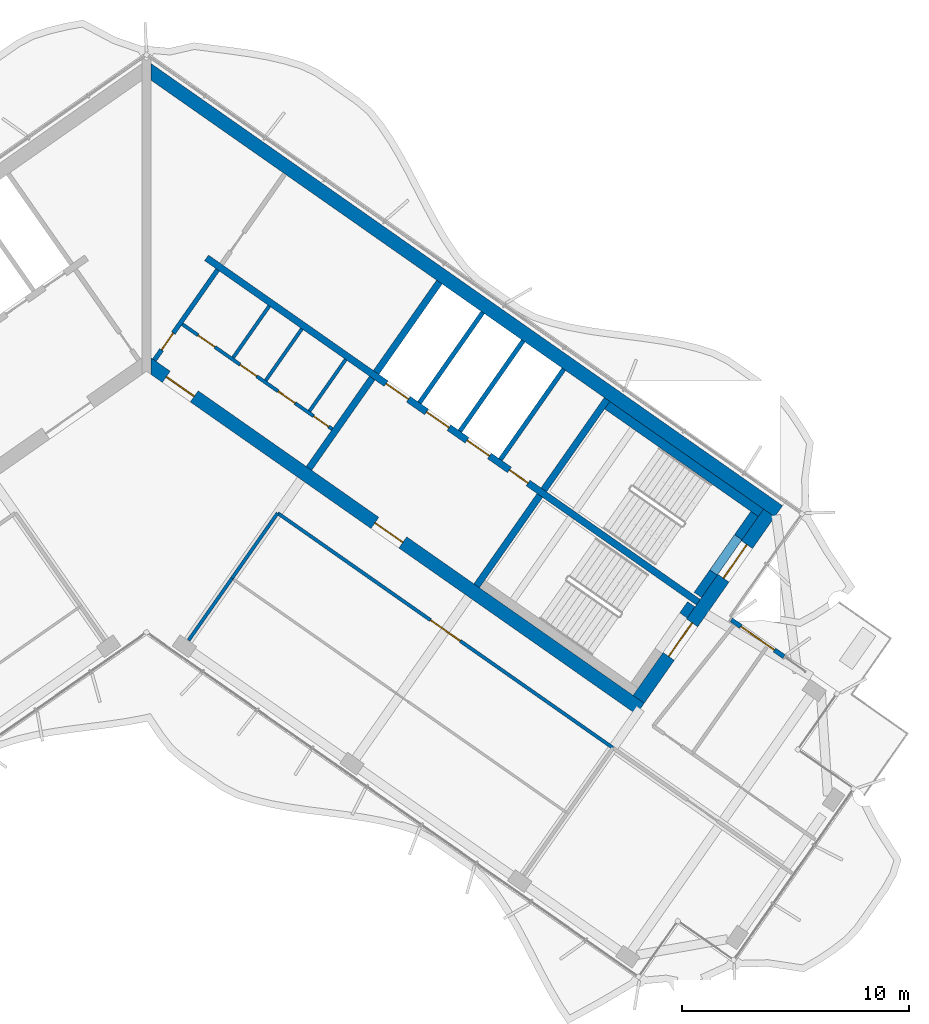
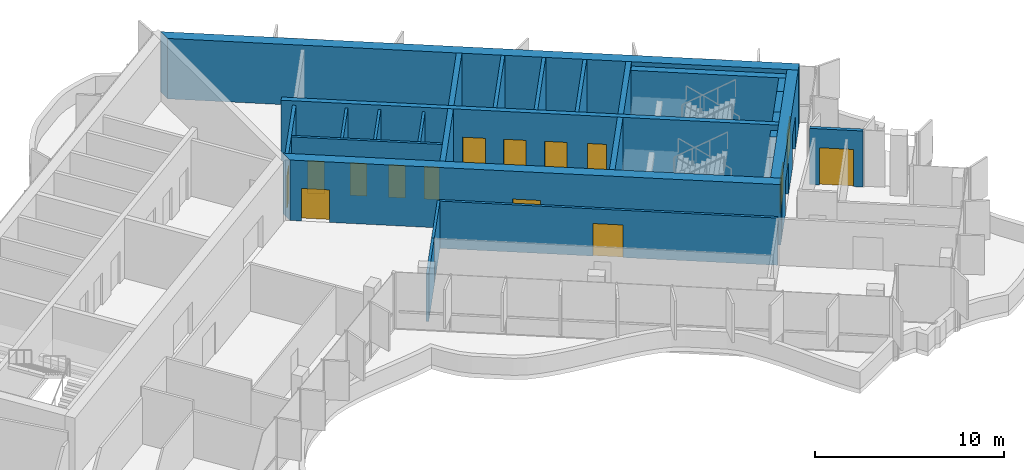
# One storey, part 12 of 20: 25 walls, 15 doors, 15 openings.
"""IFC4 building model written with IfcOpenShell, lengths in metres."""

import ifcopenshell
import ifcopenshell.guid

model = None  # the IFC model being written
_history = None  # IfcOwnerHistory: only IFC2X3 demands one
_inside = {}  # id of a spatial element -> (the spatial element, [elements in it])
_under = {}  # id of a project, library or spatial element -> (it, [spatial elements below it])
_declared = {}  # id of a project -> (the project, [libraries it declares])
_typed = {}  # id of a type object -> (the type object, [elements of that type])
_made_of = {}  # id of a material, layer set ... -> (it, [elements and type objects made of it])


def new_model(schema):
    """Start an empty IFC model of exactly this schema.

    Asked for "IFC4X3", IfcOpenShell would pick the latest addendum, in which some entities
    have other attributes; the version numbers below select the first issue.
    IFC2X3 requires an IfcOwnerHistory on every rooted entity: one is made here for all.
    """
    global model, _history
    if schema == "IFC4X3":
        model = ifcopenshell.file(schema_version=(4, 3, 0, 0))
    else:
        model = ifcopenshell.file(schema=schema)
    _inside.clear()
    _under.clear()
    _declared.clear()
    _typed.clear()
    _made_of.clear()
    _history = None
    if model.schema == "IFC2X3":
        org = make("IfcOrganization", Name="unknown")
        user = make(
            "IfcPersonAndOrganization",
            ThePerson=make("IfcPerson", FamilyName="unknown"),
            TheOrganization=org,
        )
        app = make(
            "IfcApplication",
            ApplicationDeveloper=org,
            Version="unknown",
            ApplicationFullName="unknown",
            ApplicationIdentifier="unknown",
        )
        _history = make(
            "IfcOwnerHistory",
            OwningUser=user,
            OwningApplication=app,
            ChangeAction="ADDED",
            CreationDate=0,
        )
    return model


def make(cls, **values):
    """One entity of the class cls with the attributes given. An attribute that is None is left unset."""
    return model.create_entity(
        cls, **{name: value for name, value in values.items() if value is not None}
    )


def rooted(cls, **values):
    """An entity with a GlobalId (a new one), such as an element, a storey or a relation."""
    return make(cls, GlobalId=ifcopenshell.guid.new(), OwnerHistory=_history, **values)


def si_unit(unit_type, name, prefix=None):
    """IfcSIUnit, for example si_unit("LENGTHUNIT", "METRE", prefix="MILLI")."""
    return make("IfcSIUnit", UnitType=unit_type, Prefix=prefix, Name=name)


def assignment(units):
    """IfcUnitAssignment: the units of a project."""
    return None if units is None else make("IfcUnitAssignment", Units=units)


def point(xyz):
    """IfcCartesianPoint."""
    return None if xyz is None else make("IfcCartesianPoint", Coordinates=xyz)


def direction(xyz):
    """IfcDirection."""
    return None if xyz is None else make("IfcDirection", DirectionRatios=xyz)


def frame(location, z_axis=None, x_axis=None):
    """IfcAxis2Placement3D, a coordinate frame: its origin and axes. An axis left out is left unset."""
    return make(
        "IfcAxis2Placement3D",
        Location=point(location),
        Axis=direction(z_axis),
        RefDirection=direction(x_axis),
    )


def frame_2d(location, x_axis=None):
    """IfcAxis2Placement2D, a coordinate frame in the plane: its origin and x axis."""
    return make(
        "IfcAxis2Placement2D", Location=point(location), RefDirection=direction(x_axis)
    )


def origin():
    """The frame at (0, 0, 0) with its axes left unset."""
    return frame((0.0, 0.0, 0.0))


def place(relative_to, where):
    """IfcLocalPlacement: puts the frame where relative to a parent placement (None: the world)."""
    return make(
        "IfcLocalPlacement", PlacementRelTo=relative_to, RelativePlacement=where
    )


def context(
    kind, dimensions, precision=None, world=None, true_north=None, identifier=None
):
    """IfcGeometricRepresentationContext, for example the 3D "Model" context."""
    return make(
        "IfcGeometricRepresentationContext",
        ContextIdentifier=identifier,
        ContextType=kind,
        CoordinateSpaceDimension=dimensions,
        Precision=precision,
        WorldCoordinateSystem=world,
        TrueNorth=true_north,
    )


def subcontext(parent, identifier, kind, view, scale=None):
    """IfcGeometricRepresentationSubContext, for example "Body" below "Model"."""
    return make(
        "IfcGeometricRepresentationSubContext",
        ContextIdentifier=identifier,
        ContextType=kind,
        ParentContext=parent,
        TargetScale=scale,
        TargetView=view,
    )


def project(units=None, contexts=None):
    """IfcProject with its units and contexts."""
    return rooted(
        "IfcProject",
        Name="project",
        RepresentationContexts=contexts,
        UnitsInContext=assignment(units),
    )


def spatial(cls, under=None, at=None, **own):
    """A site, building, storey or space (cls), placed at a placement, below another one or the project."""
    s = rooted(cls, ObjectPlacement=at, **own)
    if under is not None:
        _under.setdefault(under.id(), (under, []))[1].append(s)
    return s


def polyline(points):
    """IfcPolyline through the points."""
    return make("IfcPolyline", Points=[point(p) for p in points])


def profile(cls, at=None, kind="AREA", **sizes):
    """A parametric profile (cls). Its sizes go by their IFC names, for example OverallWidth=200.0."""
    return make(cls, ProfileType=kind, Position=at, **sizes)


def rectangle(**sizes):
    """IfcRectangleProfileDef."""
    return profile("IfcRectangleProfileDef", **sizes)


def outline(outer, holes=None, kind="AREA"):
    """IfcArbitraryClosedProfileDef: a profile drawn as a closed curve; with holes, ...WithVoids."""
    if holes is None:
        return make("IfcArbitraryClosedProfileDef", ProfileType=kind, OuterCurve=outer)
    return make(
        "IfcArbitraryProfileDefWithVoids",
        ProfileType=kind,
        OuterCurve=outer,
        InnerCurves=holes,
    )


def extrude(swept, where, along, depth):
    """IfcExtrudedAreaSolid: the profile swept, set in the frame where, extruded along a direction by depth."""
    return make(
        "IfcExtrudedAreaSolid",
        SweptArea=swept,
        Position=where,
        ExtrudedDirection=direction(along),
        Depth=depth,
    )


def shape(context_of_items, identifier, shape_type, items):
    """IfcShapeRepresentation: the items that make up one representation, for example the "Body"."""
    return make(
        "IfcShapeRepresentation",
        ContextOfItems=context_of_items,
        RepresentationIdentifier=identifier,
        RepresentationType=shape_type,
        Items=items,
    )


def material(Name=None, Category=None):
    """IfcMaterial."""
    return make("IfcMaterial", Name=Name, Category=Category)


def layer(
    of_material, thickness, ventilated=None, Name=None, Category=None, Priority=None
):
    """IfcMaterialLayer: one layer of a wall or slab, of a material (None: an air gap)."""
    return make(
        "IfcMaterialLayer",
        Material=of_material,
        LayerThickness=thickness,
        IsVentilated=ventilated,
        Name=Name,
        Category=Category,
        Priority=Priority,
    )


def layer_set(layers, Name=None):
    """IfcMaterialLayerSet."""
    return make("IfcMaterialLayerSet", MaterialLayers=layers, LayerSetName=Name)


def made_of(thing, what):
    """Note that an element or type object is made of a material, layer set ...; save() writes the relation."""
    if what is not None:
        _made_of.setdefault(what.id(), (what, []))[1].append(thing)
    return thing


def type_object(cls, material=None, **own):
    """A type object (cls), such as IfcWallType, which elements share."""
    return made_of(rooted(cls, **own), material)


def element(
    cls,
    number,
    at=None,
    inside=None,
    cuts=None,
    type_object=None,
    material=None,
    context=None,
    identifier="Body",
    shape_type=None,
    held_by="IfcProductDefinitionShape",
    body=None,
    shapes=None,
    **own,
):
    """One element of the class cls, such as IfcWall. Its Tag is "e" and its number.

    at: its placement. inside: the storey or other place that contains it. cuts: it is an
    opening in that element (IfcRelVoidsElement). A single representation is given by context,
    identifier, shape_type and body (its items); several are given by shapes. held_by: the class
    of the entity that holds the representations. save() writes the other relations.
    """
    e = rooted(cls, Tag="e%d" % number, ObjectPlacement=at, **own)
    if body is not None:
        shapes = [shape(context, identifier, shape_type, body)]
    if shapes is not None:
        e.Representation = make(held_by, Representations=shapes)
    if inside is not None:
        _inside.setdefault(inside.id(), (inside, []))[1].append(e)
    if cuts is not None:
        rooted(
            "IfcRelVoidsElement", RelatingBuildingElement=cuts, RelatedOpeningElement=e
        )
    if type_object is not None:
        _typed.setdefault(type_object.id(), (type_object, []))[1].append(e)
    return made_of(e, material)


def fill(opening, filler):
    """IfcRelFillsElement: the door or window that sits in an opening."""
    return rooted(
        "IfcRelFillsElement",
        RelatingOpeningElement=opening,
        RelatedBuildingElement=filler,
    )


def aggregate(whole, parts):
    """IfcRelAggregates: a whole, such as a stair, and the parts it consists of."""
    return rooted("IfcRelAggregates", RelatingObject=whole, RelatedObjects=parts)


def save(model, path):
    """Write the relations noted so far, then the file.

    IfcRelAggregates (storeys below a building ...), IfcRelContainedInSpatialStructure (elements
    in a storey), IfcRelDefinesByType, IfcRelAssociatesMaterial and IfcRelDeclares: one each for
    every whole, place, type object, material and project.
    """
    for whole, parts in _under.values():
        aggregate(whole, parts)
    for where, things in _inside.values():
        rooted(
            "IfcRelContainedInSpatialStructure",
            RelatedElements=things,
            RelatingStructure=where,
        )
    for kind, things in _typed.values():
        rooted("IfcRelDefinesByType", RelatedObjects=things, RelatingType=kind)
    for what, things in _made_of.values():
        rooted("IfcRelAssociatesMaterial", RelatedObjects=things, RelatingMaterial=what)
    for by, libraries in _declared.values():
        rooted("IfcRelDeclares", RelatingContext=by, RelatedDefinitions=libraries)
    model.write(path)


model = new_model("IFC4")

# Units and contexts
model_context = context("Model", 3, precision=1e-05, world=origin(), true_north=direction((0.0, 1.0)))
body_context = subcontext(model_context, "Body", "Model", "MODEL_VIEW")
ifc_project = project(units=[si_unit("LENGTHUNIT", "METRE"), si_unit("AREAUNIT", "SQUARE_METRE"), si_unit("VOLUMEUNIT", "CUBIC_METRE"), si_unit("PLANEANGLEUNIT", "RADIAN"), si_unit("MASSUNIT", "GRAM", prefix="KILO")], contexts=[model_context])

# Site, building, storey
site_placement = place(None, origin())
site = spatial("IfcSite", under=ifc_project, at=site_placement, CompositionType="ELEMENT")
building_placement = place(site_placement, origin())
building = spatial("IfcBuilding", under=site, at=building_placement, Name="Tel Ilan Convention Tower", CompositionType="ELEMENT")
storey_placement = place(building_placement, frame((0.0, 0.0, 248.800048828125)))
storey = spatial("IfcBuildingStorey", under=building, at=storey_placement, Name="L58", CompositionType="ELEMENT", Elevation=248.800048828125)

# Wall, openings, doors
ifc_material_1 = material(Name="Gypsum Plasterboard on Steel Stud", Category="steel")
ifc_layer_1 = layer(ifc_material_1, 0.14990234375)
ifc_layer_set_1 = layer_set([ifc_layer_1], Name="Core Room Partition Wall 150 mm EI 60")
wall_type_1 = type_object("IfcWallType", Name="Core Room Partition Wall 150 mm EI 60", PredefinedType="PARTITIONING", material=ifc_layer_set_1)
wall_1_placement = place(storey_placement, frame((1.572998046875, 0.851806640625, 0.0), z_axis=(0.0, 0.0, 1.0), x_axis=(0.819160673808, -0.573564111924, 0.0)))
wall_1 = element("IfcWall", 1, at=wall_1_placement, inside=storey, type_object=wall_type_1, Name="L58 core wall wc-h1", PredefinedType="PARTITIONING", context=body_context, shape_type="SweptSolid", body=[
    extrude(rectangle(XDim=8.050048828125, YDim=0.14990234375, at=frame_2d((4.02490234375, 0.0))), origin(), (0.0, 0.0, 1.0), 3.619873046875),
])
opening_1_placement = place(wall_1_placement, frame((0.85009765625, 0.0, 0.0)))
opening_1 = element("IfcOpeningElement", 2, at=opening_1_placement, cuts=wall_1, Name="Opening CD4514", PredefinedType="OPENING", context=body_context, shape_type="SweptSolid", body=[
    extrude(rectangle(XDim=0.89990234375, YDim=2.10009765625, at=frame_2d((0.449951171875, 1.050048828125))), frame((0.0, 0.0849609375, 0.0), z_axis=(0.0, -1.0, 0.0), x_axis=(1.0, 0.0, 0.0)), (0.0, 0.0, 1.0), 0.169921875),
])
opening_2_placement = place(wall_1_placement, frame((3.10009765625, 0.0, 0.0)))
opening_2 = element("IfcOpeningElement", 3, at=opening_2_placement, cuts=wall_1, Name="Opening CD4511", PredefinedType="OPENING", context=body_context, shape_type="SweptSolid", body=[
    extrude(rectangle(XDim=0.89990234375, YDim=2.10009765625, at=frame_2d((0.449951171875, 1.050048828125))), frame((0.0, 0.0849609375, 0.0), z_axis=(0.0, -1.0, 0.0), x_axis=(1.0, 0.0, 0.0)), (0.0, 0.0, 1.0), 0.169921875),
])
opening_3_placement = place(wall_1_placement, frame((5.14990234375, 0.0, 0.0)))
opening_3 = element("IfcOpeningElement", 4, at=opening_3_placement, cuts=wall_1, Name="Opening CD4513", PredefinedType="OPENING", context=body_context, shape_type="SweptSolid", body=[
    extrude(rectangle(XDim=0.89990234375, YDim=2.10009765625, at=frame_2d((0.449951171875, 1.050048828125))), frame((0.0, 0.0849609375, 0.0), z_axis=(0.0, -1.0, 0.0), x_axis=(1.0, 0.0, 0.0)), (0.0, 0.0, 1.0), 0.169921875),
])
opening_4_placement = place(wall_1_placement, frame((7.050048828125, 0.0, 0.0)))
opening_4 = element("IfcOpeningElement", 5, at=opening_4_placement, cuts=wall_1, Name="Opening CD4512", PredefinedType="OPENING", context=body_context, shape_type="SweptSolid", body=[
    extrude(rectangle(XDim=0.800048828125, YDim=2.10009765625, at=frame_2d((0.39990234375, 1.050048828125))), frame((0.0, 0.0849609375, 0.0), z_axis=(0.0, -1.0, 0.0), x_axis=(1.0, 0.0, 0.0)), (0.0, 0.0, 1.0), 0.169921875),
])
ifc_material_2 = material(Name="Galvanised Steel Door Leaf", Category="steel")
door_type_1 = type_object("IfcDoorType", Name="Store Door 800 x 2100 FD60", OperationType="NOTDEFINED", PredefinedType="DOOR", material=ifc_material_2)
door_1_placement = place(opening_4_placement, origin())
door_1 = element("IfcDoor", 6, at=door_1_placement, inside=storey, type_object=door_type_1, Name="Cleaner's store door", OperationType="SINGLE_SWING_RIGHT", OverallHeight=2.10009765625, OverallWidth=0.800048828125, PredefinedType="DOOR", context=body_context, shape_type="SweptSolid", body=[
    extrude(rectangle(XDim=0.800048828125, YDim=2.10009765625, at=frame_2d((0.39990234375, 1.050048828125))), frame((0.0, 0.02490234375, 0.0), z_axis=(0.0, -1.0, 0.0), x_axis=(1.0, 0.0, 0.0)), (0.0, 0.0, 1.0), 0.050048828125),
])
fill(opening_4, door_1)
ifc_material_3 = material(Name="Laminated Timber Door Leaf", Category="wood")
door_type_2 = type_object("IfcDoorType", Name="Toilet Door 900 x 2100 FD30S", OperationType="NOTDEFINED", PredefinedType="DOOR", material=ifc_material_3)
door_2_placement = place(opening_1_placement, origin())
door_2 = element("IfcDoor", 7, at=door_2_placement, inside=storey, type_object=door_type_2, Name="Women's WC door", OperationType="SINGLE_SWING_RIGHT", OverallHeight=2.10009765625, OverallWidth=0.89990234375, PredefinedType="DOOR", context=body_context, shape_type="SweptSolid", body=[
    extrude(rectangle(XDim=0.89990234375, YDim=2.10009765625, at=frame_2d((0.449951171875, 1.050048828125))), frame((0.0, 0.02490234375, 0.0), z_axis=(0.0, -1.0, 0.0), x_axis=(1.0, 0.0, 0.0)), (0.0, 0.0, 1.0), 0.050048828125),
])
fill(opening_1, door_2)
door_3_placement = place(opening_2_placement, origin())
door_3 = element("IfcDoor", 8, at=door_3_placement, inside=storey, type_object=door_type_2, Name="Accessible WC door", OperationType="SINGLE_SWING_RIGHT", OverallHeight=2.10009765625, OverallWidth=0.89990234375, PredefinedType="DOOR", context=body_context, shape_type="SweptSolid", body=[
    extrude(rectangle(XDim=0.89990234375, YDim=2.10009765625, at=frame_2d((0.449951171875, 1.050048828125))), frame((0.0, 0.02490234375, 0.0), z_axis=(0.0, -1.0, 0.0), x_axis=(1.0, 0.0, 0.0)), (0.0, 0.0, 1.0), 0.050048828125),
])
fill(opening_2, door_3)
door_4_placement = place(opening_3_placement, origin())
door_4 = element("IfcDoor", 9, at=door_4_placement, inside=storey, type_object=door_type_2, Name="Men's WC door", OperationType="SINGLE_SWING_RIGHT", OverallHeight=2.10009765625, OverallWidth=0.89990234375, PredefinedType="DOOR", context=body_context, shape_type="SweptSolid", body=[
    extrude(rectangle(XDim=0.89990234375, YDim=2.10009765625, at=frame_2d((0.449951171875, 1.050048828125))), frame((0.0, 0.02490234375, 0.0), z_axis=(0.0, -1.0, 0.0), x_axis=(1.0, 0.0, 0.0)), (0.0, 0.0, 1.0), 0.050048828125),
])
fill(opening_3, door_4)

# Walls
wall_2_placement = place(storey_placement, frame((3.807373046875, -0.62109375, 0.0), z_axis=(0.0, 0.0, 1.0), x_axis=(0.573539102583, 0.819178184407, 0.0)))
element("IfcWall", 10, at=wall_2_placement, inside=storey, type_object=wall_type_1, Name="L58 core wall wc-v0", PredefinedType="PARTITIONING", context=body_context, shape_type="SweptSolid", body=[
    extrude(rectangle(XDim=2.77490234375, YDim=0.14990234375, at=frame_2d((1.387451171875, 0.0))), origin(), (0.0, 0.0, 1.0), 3.619873046875),
])
for number, where, z_axis, x_axis, name in (
    (11, (5.24072265625, -1.625, 0.0), (0.0, 0.0, 1.0), (0.573598137089, 0.81913684884, 0.0), "L58 core wall wc-v1"),
    (12, (7.165771484375, -2.972900390625, 0.0), (0.0, 0.0, 1.0), (0.573598137089, 0.81913684884, 0.0), "L58 core wall wc-v2"),
):
    element("IfcWall", number, at=place(storey_placement, frame(where, z_axis=z_axis, x_axis=x_axis)), inside=storey, type_object=wall_type_1, Name=name, PredefinedType="PARTITIONING", context=body_context, shape_type="SweptSolid", body=[
        extrude(rectangle(XDim=2.775146484375, YDim=0.14990234375, at=frame_2d((1.3876953125, 0.0))), origin(), (0.0, 0.0, 1.0), 3.619873046875),
    ])

# Wall, opening, door
ifc_material_4 = material(Name="Concrete C30/37", Category="concrete")
ifc_layer_2 = layer(ifc_material_4, 0.199951171875)
ifc_layer_set_2 = layer_set([ifc_layer_2], Name="Core Service Room Wall 200 mm C30/37")
wall_type_2 = type_object("IfcWallType", Name="Core Service Room Wall 200 mm C30/37", PredefinedType="SOLIDWALL", material=ifc_layer_set_2)
wall_3_placement = place(storey_placement, frame((0.343994140625, -0.729248046875, 0.0), z_axis=(0.0, 0.0, 1.0), x_axis=(0.573560315113, 0.819163332265, 0.0)))
wall_3 = element("IfcWall", 13, at=wall_3_placement, inside=storey, type_object=wall_type_2, Name="L58 core wall apex-E", PredefinedType="SOLIDWALL", context=body_context, shape_type="SweptSolid", body=[
    extrude(rectangle(XDim=4.849853515625, YDim=0.199951171875, at=frame_2d((2.4248046875, 0.0))), origin(), (0.0, 0.0, 1.0), 3.619873046875),
])
opening_5_placement = place(wall_3_placement, frame((0.550048828125, 0.0, 0.0)))
opening_5 = element("IfcOpeningElement", 14, at=opening_5_placement, cuts=wall_3, Name="Opening CD4501", PredefinedType="OPENING", context=body_context, shape_type="SweptSolid", body=[
    extrude(rectangle(XDim=0.89990234375, YDim=2.10009765625, at=frame_2d((0.449951171875, 1.050048828125))), frame((0.0, 0.10986328125, 0.0), z_axis=(0.0, -1.0, 0.0), x_axis=(1.0, 0.0, 0.0)), (0.0, 0.0, 1.0), 0.219970703125),
])
ifc_material_5 = material(Name="Galvanised Steel Door Leaf", Category="steel")
door_type_3 = type_object("IfcDoorType", Name="Service Room Door 900 x 2100 FD60", OperationType="NOTDEFINED", PredefinedType="DOOR", material=ifc_material_5)
door_5_placement = place(opening_5_placement, origin())
door_5 = element("IfcDoor", 15, at=door_5_placement, inside=storey, type_object=door_type_3, Name="Data Room door", OperationType="SINGLE_SWING_RIGHT", OverallHeight=2.10009765625, OverallWidth=0.89990234375, PredefinedType="DOOR", context=body_context, shape_type="SweptSolid", body=[
    extrude(rectangle(XDim=0.89990234375, YDim=2.10009765625, at=frame_2d((0.449951171875, 1.050048828125))), frame((0.0, 0.02490234375, 0.0), z_axis=(0.0, -1.0, 0.0), x_axis=(1.0, 0.0, 0.0)), (0.0, 0.0, 1.0), 0.050048828125),
])
fill(opening_5, door_5)

# Walls
ifc_material_6 = material(Name="Concrete C40/50", Category="concrete")
ifc_layer_3 = layer(ifc_material_6, 0.300048828125)
ifc_layer_set_3 = layer_set([ifc_layer_3], Name="Core Shear Wall 300 mm C40/50")
wall_type_3 = type_object("IfcWallType", Name="Core Shear Wall 300 mm C40/50", PredefinedType="SHEAR", material=ifc_layer_set_3)
wall_4_placement = place(storey_placement, frame((7.142822265625, -5.48974609375, 0.0), z_axis=(0.0, 0.0, 1.0), x_axis=(0.573617744349, 0.819123118565, 0.0)))
element("IfcWall", 16, at=wall_4_placement, inside=storey, type_object=wall_type_3, Name="L58 core wall E-cross1-1", PredefinedType="SHEAR", context=body_context, shape_type="SweptSolid", body=[
    extrude(outline(polyline([(0.0, 0.14990234375), (0.0, -0.150146484375), (4.85009765625, -0.14990234375), (4.85009765625, 0.150146484375), (0.0, 0.14990234375)])), origin(), (0.0, 0.0, 1.0), 3.89990234375),
])
wall_5_placement = place(storey_placement, frame((10.096923828125, -1.271240234375, 0.0), z_axis=(0.0, 0.0, 1.0), x_axis=(0.573560315113, 0.819163332265, 0.0)))
element("IfcWall", 17, at=wall_5_placement, inside=storey, type_object=wall_type_3, Name="L58 core wall E-cross1-2", PredefinedType="SHEAR", context=body_context, shape_type="SweptSolid", body=[
    extrude(outline(polyline([(4.849853515625, -0.150146484375), (4.849853515625, 0.14990234375), (0.0, 0.150146484375), (0.0, -0.14990234375), (4.849853515625, -0.150146484375)])), origin(), (0.0, 0.0, 1.0), 3.89990234375),
])
wall_6_placement = place(storey_placement, frame((14.515380859375, -10.652099609375, 0.0), z_axis=(0.0, 0.0, 1.0), x_axis=(0.573560315113, 0.819163332265, 0.0)))
element("IfcWall", 18, at=wall_6_placement, inside=storey, type_object=wall_type_3, Name="L58 core wall E-cross2-1", PredefinedType="SHEAR", context=body_context, shape_type="SweptSolid", body=[
    extrude(outline(polyline([(0.0, 0.150146484375), (0.0, -0.14990234375), (4.85009765625, -0.14990234375), (4.85009765625, 0.14990234375), (0.0, 0.150146484375)])), origin(), (0.0, 0.0, 1.0), 3.89990234375),
])
wall_7_placement = place(storey_placement, frame((17.46923828125, -6.433349609375, 0.0), z_axis=(0.0, 0.0, 1.0), x_axis=(0.573594092424, 0.81913968109, 0.0)))
element("IfcWall", 19, at=wall_7_placement, inside=storey, type_object=wall_type_3, Name="L58 core wall E-cross2-2", PredefinedType="SHEAR", context=body_context, shape_type="SweptSolid", body=[
    extrude(outline(polyline([(4.849853515625, -0.14990234375), (4.849853515625, 0.150146484375), (0.0, 0.14990234375), (0.0, -0.14990234375), (4.849853515625, -0.14990234375)])), origin(), (0.0, 0.0, 1.0), 3.89990234375),
])

# Wall, openings, doors
wall_8_placement = place(storey_placement, frame((2.638427734375, 3.76806640625, 0.0), z_axis=(0.0, 0.0, 1.0), x_axis=(0.819155014212, -0.573572194837, 0.0)))
wall_8 = element("IfcWall", 20, at=wall_8_placement, inside=storey, type_object=wall_type_3, Name="L58 core wall E-spine", PredefinedType="SHEAR", context=body_context, shape_type="SweptSolid", body=[
    extrude(outline(polyline([(0.0, 0.150146484375), (0.0, -0.14990234375), (26.39990234375, -0.150146484375), (26.39990234375, 0.14990234375), (0.0, 0.150146484375)])), origin(), (0.0, 0.0, 1.0), 3.89990234375),
])
opening_6_placement = place(wall_8_placement, frame((9.637451171875, 0.0, 0.0)))
opening_6 = element("IfcOpeningElement", 21, at=opening_6_placement, cuts=wall_8, Name="Opening LD4501", PredefinedType="OPENING", context=body_context, shape_type="SweptSolid", body=[
    extrude(rectangle(XDim=1.199951171875, YDim=2.10009765625, at=frame_2d((0.60009765625, 1.050048828125))), frame((0.0, 0.159912109375, 0.0), z_axis=(0.0, -1.0, 0.0), x_axis=(1.0, 0.0, 0.0)), (0.0, 0.0, 1.0), 0.320068359375),
])
opening_7_placement = place(wall_8_placement, frame((11.8125, 0.0, 0.0)))
opening_7 = element("IfcOpeningElement", 22, at=opening_7_placement, cuts=wall_8, Name="Opening LD4502", PredefinedType="OPENING", context=body_context, shape_type="SweptSolid", body=[
    extrude(rectangle(XDim=1.199951171875, YDim=2.10009765625, at=frame_2d((0.60009765625, 1.050048828125))), frame((0.0, 0.159912109375, 0.0), z_axis=(0.0, -1.0, 0.0), x_axis=(1.0, 0.0, 0.0)), (0.0, 0.0, 1.0), 0.320068359375),
])
opening_8_placement = place(wall_8_placement, frame((13.987548828125, 0.0, 0.0)))
opening_8 = element("IfcOpeningElement", 23, at=opening_8_placement, cuts=wall_8, Name="Opening LD4503", PredefinedType="OPENING", context=body_context, shape_type="SweptSolid", body=[
    extrude(rectangle(XDim=1.199951171875, YDim=2.10009765625, at=frame_2d((0.60009765625, 1.050048828125))), frame((0.0, 0.159912109375, 0.0), z_axis=(0.0, -1.0, 0.0), x_axis=(1.0, 0.0, 0.0)), (0.0, 0.0, 1.0), 0.320068359375),
])
opening_9_placement = place(wall_8_placement, frame((16.262451171875, 0.0, 0.0)))
opening_9 = element("IfcOpeningElement", 24, at=opening_9_placement, cuts=wall_8, Name="Opening CD4508", PredefinedType="OPENING", context=body_context, shape_type="SweptSolid", body=[
    extrude(rectangle(XDim=1.0, YDim=2.10009765625, at=frame_2d((0.5, 1.050048828125))), frame((0.0, 0.159912109375, 0.0), z_axis=(0.0, -1.0, 0.0), x_axis=(1.0, 0.0, 0.0)), (0.0, 0.0, 1.0), 0.320068359375),
])
ifc_material_7 = material(Name="Stainless Steel Sliding Door Leaf", Category="steel")
door_type_4 = type_object("IfcDoorType", Name="Lift Landing Door 1200 x 2100 FD120", OperationType="NOTDEFINED", PredefinedType="DOOR", material=ifc_material_7)
door_6_placement = place(opening_6_placement, origin())
door_6 = element("IfcDoor", 25, at=door_6_placement, inside=storey, type_object=door_type_4, Name="Lift FL1 landing door", OperationType="SLIDING_TO_LEFT", OverallHeight=2.10009765625, OverallWidth=1.199951171875, PredefinedType="DOOR", context=body_context, shape_type="SweptSolid", body=[
    extrude(rectangle(XDim=1.199951171875, YDim=2.10009765625, at=frame_2d((0.60009765625, 1.050048828125))), frame((0.0, 0.02490234375, 0.0), z_axis=(0.0, -1.0, 0.0), x_axis=(1.0, 0.0, 0.0)), (0.0, 0.0, 1.0), 0.050048828125),
])
fill(opening_6, door_6)
door_7_placement = place(opening_7_placement, origin())
door_7 = element("IfcDoor", 26, at=door_7_placement, inside=storey, type_object=door_type_4, Name="Lift FL2 landing door", OperationType="SLIDING_TO_RIGHT", OverallHeight=2.10009765625, OverallWidth=1.199951171875, PredefinedType="DOOR", context=body_context, shape_type="SweptSolid", body=[
    extrude(rectangle(XDim=1.199951171875, YDim=2.10009765625, at=frame_2d((0.60009765625, 1.050048828125))), frame((0.0, 0.02490234375, 0.0), z_axis=(0.0, -1.0, 0.0), x_axis=(1.0, 0.0, 0.0)), (0.0, 0.0, 1.0), 0.050048828125),
])
fill(opening_7, door_7)
door_8_placement = place(opening_8_placement, origin())
door_8 = element("IfcDoor", 27, at=door_8_placement, inside=storey, type_object=door_type_4, Name="Lift FL3 landing door", OperationType="SLIDING_TO_LEFT", OverallHeight=2.10009765625, OverallWidth=1.199951171875, PredefinedType="DOOR", context=body_context, shape_type="SweptSolid", body=[
    extrude(rectangle(XDim=1.199951171875, YDim=2.10009765625, at=frame_2d((0.60009765625, 1.050048828125))), frame((0.0, 0.02490234375, 0.0), z_axis=(0.0, -1.0, 0.0), x_axis=(1.0, 0.0, 0.0)), (0.0, 0.0, 1.0), 0.050048828125),
])
fill(opening_8, door_8)
ifc_material_8 = material(Name="Galvanised Steel Door Leaf", Category="steel")
door_type_5 = type_object("IfcDoorType", Name="Service Room Door 1000 x 2100 FD60", OperationType="NOTDEFINED", PredefinedType="DOOR", material=ifc_material_8)
door_9_placement = place(opening_9_placement, origin())
door_9 = element("IfcDoor", 28, at=door_9_placement, inside=storey, type_object=door_type_5, Name="Plant Room door", OperationType="SINGLE_SWING_RIGHT", OverallHeight=2.10009765625, OverallWidth=1.0, PredefinedType="DOOR", context=body_context, shape_type="SweptSolid", body=[
    extrude(rectangle(XDim=1.0, YDim=2.10009765625, at=frame_2d((0.5, 1.050048828125))), frame((0.0, 0.02490234375, 0.0), z_axis=(0.0, -1.0, 0.0), x_axis=(1.0, 0.0, 0.0)), (0.0, 0.0, 1.0), 0.050048828125),
])
fill(opening_9, door_9)

# Wall
ifc_material_9 = material(Name="Concrete C40/50", Category="concrete")
ifc_layer_4 = layer(ifc_material_9, 0.60009765625)
ifc_layer_set_4 = layer_set([ifc_layer_4], Name="Core Shear Wall 600 mm C40/50")
wall_type_4 = type_object("IfcWallType", Name="Core Shear Wall 600 mm C40/50", PredefinedType="SHEAR", material=ifc_layer_set_4)
wall_9_placement = place(storey_placement, frame((0.02783203125, 12.066162109375, 0.0), z_axis=(0.0, 0.0, 1.0), x_axis=(0.819151382952, -0.573577380837, 0.0)))
element("IfcWall", 29, at=wall_9_placement, inside=storey, type_object=wall_type_4, Name="L58 core wall E-back", PredefinedType="SHEAR", context=body_context, shape_type="SweptSolid", body=[
    extrude(outline(polyline([(33.898193359375, 0.300048828125), (0.0, 0.300048828125), (0.420166015625, -0.300048828125), (33.89794921875, -0.300048828125), (33.898193359375, 0.300048828125)])), origin(), (0.0, 0.0, 1.0), 3.89990234375),
])

# Wall, openings, doors
wall_10_placement = place(storey_placement, frame((0.02783203125, -0.8740234375, 0.0), z_axis=(0.0, 0.0, 1.0), x_axis=(0.819150035022, -0.573579305871, 0.0)))
wall_10 = element("IfcWall", 30, at=wall_10_placement, inside=storey, type_object=wall_type_4, Name="L58 core wall E-front", PredefinedType="SHEAR", context=body_context, shape_type="SweptSolid", body=[
    extrude(outline(polyline([(26.475830078125, 0.300048828125), (0.000244140625, 0.300048828125), (0.420166015625, -0.300048828125), (26.475830078125, -0.2998046875), (26.475830078125, 0.300048828125)])), origin(), (0.0, 0.0, 1.0), 3.89990234375),
])
opening_10_placement = place(wall_10_placement, frame((1.02587890625, 0.0, 0.0)))
opening_10 = element("IfcOpeningElement", 31, at=opening_10_placement, cuts=wall_10, Name="Opening CD4504", PredefinedType="OPENING", context=body_context, shape_type="SweptSolid", body=[
    extrude(rectangle(XDim=1.5, YDim=2.10009765625, at=frame_2d((0.75, 1.050048828125))), frame((0.0, 0.31005859375, 0.0), z_axis=(0.0, -1.0, 0.0), x_axis=(1.0, 0.0, 0.0)), (0.0, 0.0, 1.0), 0.6201171875),
])
opening_11_placement = place(wall_10_placement, frame((12.225830078125, 0.0, 0.0)))
opening_11 = element("IfcOpeningElement", 32, at=opening_11_placement, cuts=wall_10, Name="Opening CD4505", PredefinedType="OPENING", context=body_context, shape_type="SweptSolid", body=[
    extrude(rectangle(XDim=1.5, YDim=2.10009765625, at=frame_2d((0.75, 1.050048828125))), frame((0.0, 0.31005859375, 0.0), z_axis=(0.0, -1.0, 0.0), x_axis=(1.0, 0.0, 0.0)), (0.0, 0.0, 1.0), 0.6201171875),
])
ifc_material_10 = material(Name="Glazed Aluminium Door Leaf", Category="aluminium")
door_type_6 = type_object("IfcDoorType", Name="Lobby Opening Door 1500 x 2100 FD60S", OperationType="NOTDEFINED", PredefinedType="DOOR", material=ifc_material_10)
door_10_placement = place(opening_11_placement, origin())
door_10 = element("IfcDoor", 33, at=door_10_placement, inside=storey, type_object=door_type_6, Name="Firefighting Lobby door", OperationType="DOUBLE_DOOR_SINGLE_SWING", OverallHeight=2.10009765625, OverallWidth=1.5, PredefinedType="DOOR", context=body_context, shape_type="SweptSolid", body=[
    extrude(rectangle(XDim=1.5, YDim=2.10009765625, at=frame_2d((0.75, 1.050048828125))), frame((0.0, 0.02490234375, 0.0), z_axis=(0.0, -1.0, 0.0), x_axis=(1.0, 0.0, 0.0)), (0.0, 0.0, 1.0), 0.050048828125),
])
fill(opening_11, door_10)
ifc_material_11 = material(Name="Laminated Timber Door Leaf", Category="wood")
door_type_7 = type_object("IfcDoorType", Name="Toilet Door 1500 x 2100 FD30S", OperationType="NOTDEFINED", PredefinedType="DOOR", material=ifc_material_11)
door_11_placement = place(opening_10_placement, origin())
door_11 = element("IfcDoor", 34, at=door_11_placement, inside=storey, type_object=door_type_7, Name="WC Lobby door", OperationType="SINGLE_SWING_RIGHT", OverallHeight=2.10009765625, OverallWidth=1.5, PredefinedType="DOOR", context=body_context, shape_type="SweptSolid", body=[
    extrude(rectangle(XDim=1.5, YDim=2.10009765625, at=frame_2d((0.75, 1.050048828125))), frame((0.0, 0.02490234375, 0.0), z_axis=(0.0, -1.0, 0.0), x_axis=(1.0, 0.0, 0.0)), (0.0, 0.0, 1.0), 0.050048828125),
])
fill(opening_10, door_11)

wall_11_placement = place(storey_placement, frame((21.641845703125, -15.64208984375, 0.0), z_axis=(0.0, 0.0, 1.0), x_axis=(0.573586866468, 0.819144740944, 0.0)))
wall_11 = element("IfcWall", 35, at=wall_11_placement, inside=storey, type_object=wall_type_4, Name="L58 core wall E-end", PredefinedType="SHEAR", context=body_context, shape_type="SweptSolid", body=[
    extrude(outline(polyline([(10.0, 0.300048828125), (0.0, 0.2998046875), (0.0, -0.300048828125), (10.0, -0.300048828125), (10.0, 0.300048828125)])), origin(), (0.0, 0.0, 1.0), 3.89990234375),
])
opening_12_placement = place(wall_11_placement, frame((6.5, 0.0, 0.0)))
opening_12 = element("IfcOpeningElement", 36, at=opening_12_placement, cuts=wall_11, Name="Opening SD4503", PredefinedType="OPENING", context=body_context, shape_type="SweptSolid", body=[
    extrude(rectangle(XDim=1.800048828125, YDim=2.10009765625, at=frame_2d((0.89990234375, 1.050048828125))), frame((0.0, 0.31005859375, 0.0), z_axis=(0.0, -1.0, 0.0), x_axis=(1.0, 0.0, 0.0)), (0.0, 0.0, 1.0), 0.6201171875),
])
opening_13_placement = place(wall_11_placement, frame((2.300048828125, 0.0, 0.0)))
opening_13 = element("IfcOpeningElement", 37, at=opening_13_placement, cuts=wall_11, Name="Opening SD4504", PredefinedType="OPENING", context=body_context, shape_type="SweptSolid", body=[
    extrude(rectangle(XDim=1.800048828125, YDim=2.10009765625, at=frame_2d((0.89990234375, 1.050048828125))), frame((0.0, 0.31005859375, 0.0), z_axis=(0.0, -1.0, 0.0), x_axis=(1.0, 0.0, 0.0)), (0.0, 0.0, 1.0), 0.6201171875),
])
ifc_material_12 = material(Name="Galvanised Steel Door Leaf", Category="steel")
door_type_8 = type_object("IfcDoorType", Name="Stair Fire Door 1800 x 2100 FD60S", OperationType="NOTDEFINED", PredefinedType="DOOR", material=ifc_material_12)
door_12_placement = place(opening_12_placement, origin())
door_12 = element("IfcDoor", 38, at=door_12_placement, inside=storey, type_object=door_type_8, Name="Stair S3 door", OperationType="DOUBLE_DOOR_SINGLE_SWING", OverallHeight=2.10009765625, OverallWidth=1.800048828125, PredefinedType="DOOR", context=body_context, shape_type="SweptSolid", body=[
    extrude(rectangle(XDim=1.800048828125, YDim=2.10009765625, at=frame_2d((0.89990234375, 1.050048828125))), frame((0.0, 0.02490234375, 0.0), z_axis=(0.0, -1.0, 0.0), x_axis=(1.0, 0.0, 0.0)), (0.0, 0.0, 1.0), 0.050048828125),
])
fill(opening_12, door_12)
door_13_placement = place(opening_13_placement, origin())
door_13 = element("IfcDoor", 39, at=door_13_placement, inside=storey, type_object=door_type_8, Name="Stair S4 door", OperationType="DOUBLE_DOOR_SINGLE_SWING", OverallHeight=2.10009765625, OverallWidth=1.800048828125, PredefinedType="DOOR", context=body_context, shape_type="SweptSolid", body=[
    extrude(rectangle(XDim=1.800048828125, YDim=2.10009765625, at=frame_2d((0.89990234375, 1.050048828125))), frame((0.0, 0.02490234375, 0.0), z_axis=(0.0, -1.0, 0.0), x_axis=(1.0, 0.0, 0.0)), (0.0, 0.0, 1.0), 0.050048828125),
])
fill(opening_13, door_13)

# Wall, opening, door
ifc_material_13 = material(Name="Plasterboard on Steel Studs", Category="steel")
ifc_layer_5 = layer(ifc_material_13, 0.14990234375)
ifc_layer_set_5 = layer_set([ifc_layer_5], Name="Fire-rated Partition 150 EI 60")
wall_type_5 = type_object("IfcWallType", Name="Fire-rated Partition 150 EI 60", PredefinedType="PARTITIONING", material=ifc_layer_set_5)
wall_12_placement = place(storey_placement, frame((20.5126953125, -17.78125, 0.0), z_axis=(0.0, 0.0, 1.0), x_axis=(-0.819153544995, 0.573574293115, 0.0)))
wall_12 = element("IfcWall", 40, at=wall_12_placement, inside=storey, type_object=wall_type_5, Name="Partition 003", PredefinedType="PARTITIONING", context=body_context, shape_type="SweptSolid", body=[
    extrude(rectangle(XDim=18.001953125, YDim=0.14990234375, at=frame_2d((9.0009765625, 0.0))), origin(), (0.0, 0.0, 1.0), 3.050048828125),
])
opening_14_placement = place(wall_12_placement, frame((8.200927734375, 0.0, 0.0)))
opening_14 = element("IfcOpeningElement", 41, at=opening_14_placement, cuts=wall_12, Name="Opening L58-007", PredefinedType="OPENING", context=body_context, shape_type="SweptSolid", body=[
    extrude(rectangle(XDim=1.60009765625, YDim=2.10009765625, at=frame_2d((0.800048828125, 1.050048828125))), frame((0.0, 0.0849609375, 0.0), z_axis=(0.0, -1.0, 0.0), x_axis=(1.0, 0.0, 0.0)), (0.0, 0.0, 1.0), 0.169921875),
])
ifc_material_14 = material(Name="Timber Door Leaf in Steel Frame", Category="steel")
door_type_9 = type_object("IfcDoorType", Name="Tenant Suite Entrance Fire Door 1600x2100", OperationType="NOTDEFINED", PredefinedType="DOOR", material=ifc_material_14)
door_14_placement = place(opening_14_placement, origin())
door_14 = element("IfcDoor", 42, at=door_14_placement, inside=storey, type_object=door_type_9, Name="Door L58-007", OperationType="DOUBLE_DOOR_SINGLE_SWING", OverallHeight=2.10009765625, OverallWidth=1.60009765625, PredefinedType="DOOR", context=body_context, shape_type="SweptSolid", body=[
    extrude(rectangle(XDim=1.60009765625, YDim=2.10009765625, at=frame_2d((0.800048828125, 1.050048828125))), frame((0.0, 0.02490234375, 0.0), z_axis=(0.0, -1.0, 0.0), x_axis=(1.0, 0.0, 0.0)), (0.0, 0.0, 1.0), 0.050048828125),
])
fill(opening_14, door_14)

# Walls
wall_13_placement = place(storey_placement, frame((1.848876953125, -13.050537109375, 0.0), z_axis=(0.0, 0.0, 1.0), x_axis=(0.573595235521, 0.819138880647, 0.0)))
element("IfcWall", 43, at=wall_13_placement, inside=storey, type_object=wall_type_5, Name="Partition 013", PredefinedType="PARTITIONING", context=body_context, shape_type="SweptSolid", body=[
    extrude(rectangle(XDim=3.328857421875, YDim=0.14990234375, at=frame_2d((1.66455078125, 0.0))), origin(), (0.0, 0.0, 1.0), 3.050048828125),
])
wall_14_placement = place(storey_placement, frame((3.7587890625, -10.32275390625, 0.0), z_axis=(0.0, 0.0, 1.0), x_axis=(0.573598101901, 0.81913687348, 0.0)))
element("IfcWall", 44, at=wall_14_placement, inside=storey, type_object=wall_type_5, Name="Partition 015", PredefinedType="PARTITIONING", context=body_context, shape_type="SweptSolid", body=[
    extrude(rectangle(XDim=3.5, YDim=0.14990234375, at=frame_2d((1.75, 0.0))), origin(), (0.0, 0.0, 1.0), 3.050048828125),
])
ifc_material_15 = material(Name="Concrete C30/37", Category="concrete")
ifc_layer_6 = layer(ifc_material_15, 0.199951171875)
ifc_layer_set_6 = layer_set([ifc_layer_6], Name="Lift Shaft Wall 200 mm C30/37")
wall_type_6 = type_object("IfcWallType", Name="Lift Shaft Wall 200 mm C30/37", PredefinedType="SOLIDWALL", material=ifc_layer_set_6)
wall_15_placement = place(storey_placement, frame((12.00146484375, -2.604736328125, 0.0), z_axis=(0.0, 0.0, 1.0), x_axis=(0.573560315113, 0.819163332265, 0.0)))
element("IfcWall", 45, at=wall_15_placement, inside=storey, type_object=wall_type_6, Name="L58 core wall bank-E2-p0", PredefinedType="SOLIDWALL", context=body_context, shape_type="SweptSolid", body=[
    extrude(rectangle(XDim=4.849853515625, YDim=0.199951171875, at=frame_2d((2.4248046875, 0.0))), origin(), (0.0, 0.0, 1.0), 3.89990234375),
])
wall_16_placement = place(storey_placement, frame((13.782958984375, -3.852294921875, 0.0), z_axis=(0.0, 0.0, 1.0), x_axis=(0.573594092424, 0.81913968109, 0.0)))
element("IfcWall", 46, at=wall_16_placement, inside=storey, type_object=wall_type_6, Name="L58 core wall bank-E2-p1", PredefinedType="SOLIDWALL", context=body_context, shape_type="SweptSolid", body=[
    extrude(rectangle(XDim=4.85009765625, YDim=0.199951171875, at=frame_2d((2.425048828125, 0.0))), origin(), (0.0, 0.0, 1.0), 3.89990234375),
])
wall_17_placement = place(storey_placement, frame((15.564697265625, -5.099853515625, 0.0), z_axis=(0.0, 0.0, 1.0), x_axis=(0.573560315113, 0.819163332265, 0.0)))
element("IfcWall", 47, at=wall_17_placement, inside=storey, type_object=wall_type_6, Name="L58 core wall bank-E2-p2", PredefinedType="SOLIDWALL", context=body_context, shape_type="SweptSolid", body=[
    extrude(rectangle(XDim=4.849853515625, YDim=0.199951171875, at=frame_2d((2.4248046875, 0.0))), origin(), (0.0, 0.0, 1.0), 3.89990234375),
])
ifc_material_16 = material(Name="Concrete C30/37", Category="concrete")
ifc_layer_7 = layer(ifc_material_16, 0.39990234375)
ifc_layer_set_7 = layer_set([ifc_layer_7], Name="Stair and Shaft Lining Wall 400 mm C30/37")
wall_type_7 = type_object("IfcWallType", Name="Stair and Shaft Lining Wall 400 mm C30/37", PredefinedType="SOLIDWALL", material=ifc_layer_set_7)
wall_18_placement = place(storey_placement, frame((20.25927734375, -2.71044921875, 0.0), z_axis=(0.0, 0.0, 1.0), x_axis=(0.81914849389, -0.573581506813, 0.0)))
element("IfcWall", 48, at=wall_18_placement, inside=storey, type_object=wall_type_7, Name="L58 core wall lining-S3-t1", PredefinedType="SOLIDWALL", context=body_context, shape_type="SweptSolid", body=[
    extrude(rectangle(XDim=8.249755859375, YDim=0.39990234375, at=frame_2d((4.125, 0.0))), origin(), (0.0, 0.0, 1.0), 3.619873046875),
])
wall_19_placement = place(storey_placement, frame((24.24365234375, -11.0546875, 0.0), z_axis=(0.0, 0.0, 1.0), x_axis=(0.573571582932, 0.819155442668, 0.0)))
element("IfcWall", 49, at=wall_19_placement, inside=storey, type_object=wall_type_7, Name="L58 core wall lining-S3-u1-0", PredefinedType="SOLIDWALL", context=body_context, shape_type="SweptSolid", body=[
    extrude(rectangle(XDim=1.199951171875, YDim=0.39990234375, at=frame_2d((0.60009765625, 0.0))), origin(), (0.0, 0.0, 1.0), 3.619873046875),
])
wall_20_placement = place(storey_placement, frame((26.021728515625, -8.515380859375, 0.0), z_axis=(0.0, 0.0, 1.0), x_axis=(0.573619628835, 0.819121798889, 0.0)))
element("IfcWall", 50, at=wall_20_placement, inside=storey, type_object=wall_type_7, Name="L58 core wall lining-S3-u1-1", PredefinedType="SOLIDWALL", context=body_context, shape_type="SweptSolid", body=[
    extrude(rectangle(XDim=1.25, YDim=0.39990234375, at=frame_2d((0.625, 0.0))), origin(), (0.0, 0.0, 1.0), 3.619873046875),
])
wall_21_placement = place(storey_placement, frame((24.931884765625, -10.07177734375, 2.14990234375), z_axis=(0.0, 0.0, 1.0), x_axis=(0.573591692345, 0.819141361715, 0.0)))
element("IfcWall", 51, at=wall_21_placement, inside=storey, type_object=wall_type_7, Name="L58 core wall lining-S3-u1-lintel", PredefinedType="SOLIDWALL", context=body_context, shape_type="SweptSolid", body=[
    extrude(rectangle(XDim=1.900146484375, YDim=0.39990234375, at=frame_2d((0.9501953125, 0.0))), origin(), (0.0, 0.0, 1.0), 1.469970703125),
])
wall_22_placement = place(storey_placement, frame((23.61279296875, -11.955810546875, 0.0), z_axis=(0.0, 0.0, 1.0), x_axis=(0.573435029941, 0.819251039936, 0.0)))
element("IfcWall", 52, at=wall_22_placement, inside=storey, type_object=wall_type_7, Name="L58 core wall lining-S4-u1-1", PredefinedType="SOLIDWALL", context=body_context, shape_type="SweptSolid", body=[
    extrude(rectangle(XDim=0.599853515625, YDim=0.39990234375, at=frame_2d((0.2998046875, 0.0))), origin(), (0.0, 0.0, 1.0), 3.619873046875),
])

# Wall, opening, door
ifc_material_17 = material(Name="Aluminium composite cladding, bronze anodised on steel studs", Category="steel")
ifc_layer_8 = layer(ifc_material_17, 0.199951171875)
ifc_layer_set_8 = layer_set([ifc_layer_8], Name="TERRACE DOOR BAY WALL 200")
wall_type_8 = type_object("IfcWallType", Name="TERRACE DOOR BAY WALL 200", PredefinedType="SOLIDWALL", material=ifc_layer_set_8)
wall_23_placement = place(storey_placement, frame((28.040283203125, -13.7744140625, 0.0), z_axis=(0.0, 0.0, 1.0), x_axis=(-0.819134974682, 0.573600813505, 0.0)))
wall_23 = element("IfcWall", 53, at=wall_23_placement, inside=storey, type_object=wall_type_8, Name="Terrace door bay", PredefinedType="SOLIDWALL", context=body_context, shape_type="SweptSolid", body=[
    extrude(rectangle(XDim=2.83984375, YDim=0.199951171875, at=frame_2d((1.419921875, 0.0))), origin(), (0.0, 0.0, 1.0), 3.619873046875),
])
opening_15_placement = place(wall_23_placement, frame((0.52001953125, 0.0, 0.0)))
opening_15 = element("IfcOpeningElement", 54, at=opening_15_placement, cuts=wall_23, Name="Opening T58.01", PredefinedType="OPENING", context=body_context, shape_type="SweptSolid", body=[
    extrude(rectangle(XDim=1.800048828125, YDim=2.39990234375, at=frame_2d((0.89990234375, 1.199951171875))), frame((0.0, 0.10986328125, 0.0), z_axis=(0.0, -1.0, 0.0), x_axis=(1.0, 0.0, 0.0)), (0.0, 0.0, 1.0), 0.219970703125),
])
ifc_material_18 = material(Name="Aluminium framed glazed door, bronze anodised", Category="aluminium")
door_type_10 = type_object("IfcDoorType", Name="TERRACE DOUBLE DOOR 1800x2400", OperationType="NOTDEFINED", PredefinedType="DOOR", material=ifc_material_18)
door_15_placement = place(opening_15_placement, origin())
door_15 = element("IfcDoor", 55, at=door_15_placement, inside=storey, type_object=door_type_10, Name="Terrace door", OperationType="DOUBLE_DOOR_DOUBLE_SWING", OverallHeight=2.39990234375, OverallWidth=1.800048828125, PredefinedType="DOOR", context=body_context, shape_type="SweptSolid", body=[
    extrude(rectangle(XDim=1.800048828125, YDim=2.39990234375, at=frame_2d((0.89990234375, 1.199951171875))), frame((0.0, 0.02490234375, 0.0), z_axis=(0.0, -1.0, 0.0), x_axis=(1.0, 0.0, 0.0)), (0.0, 0.0, 1.0), 0.050048828125),
])
fill(opening_15, door_15)

save(model, "model.ifc")
